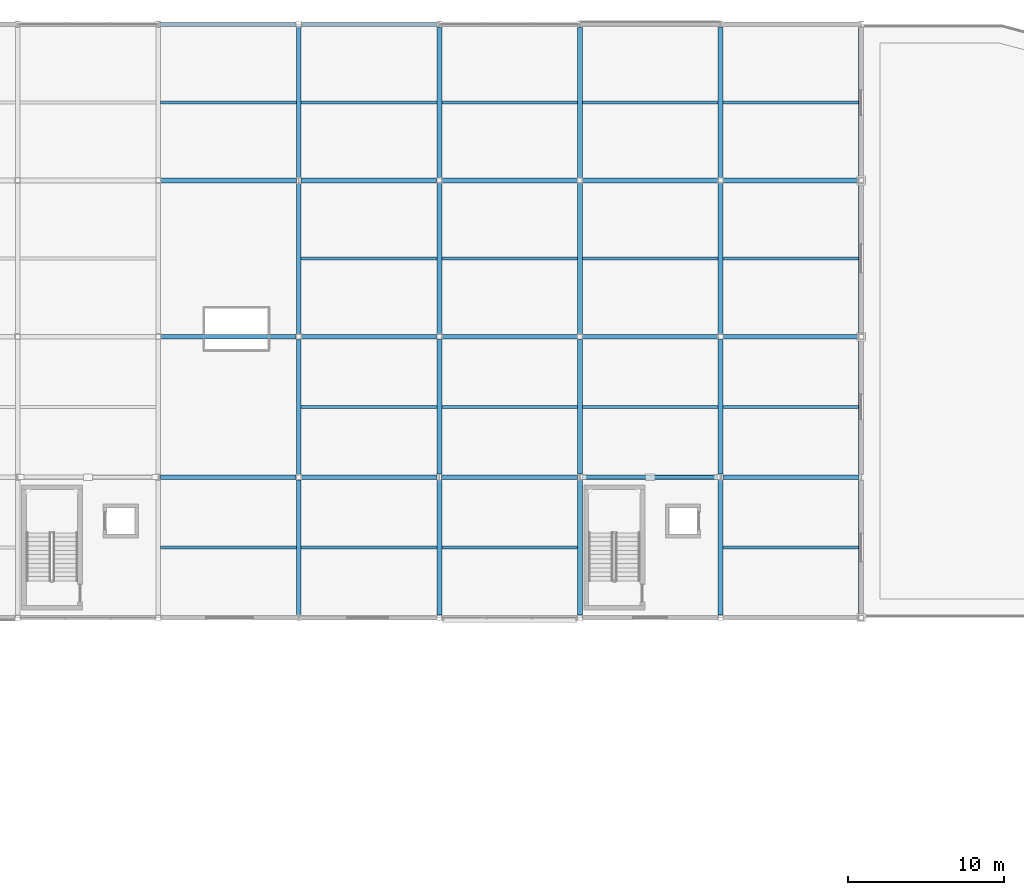
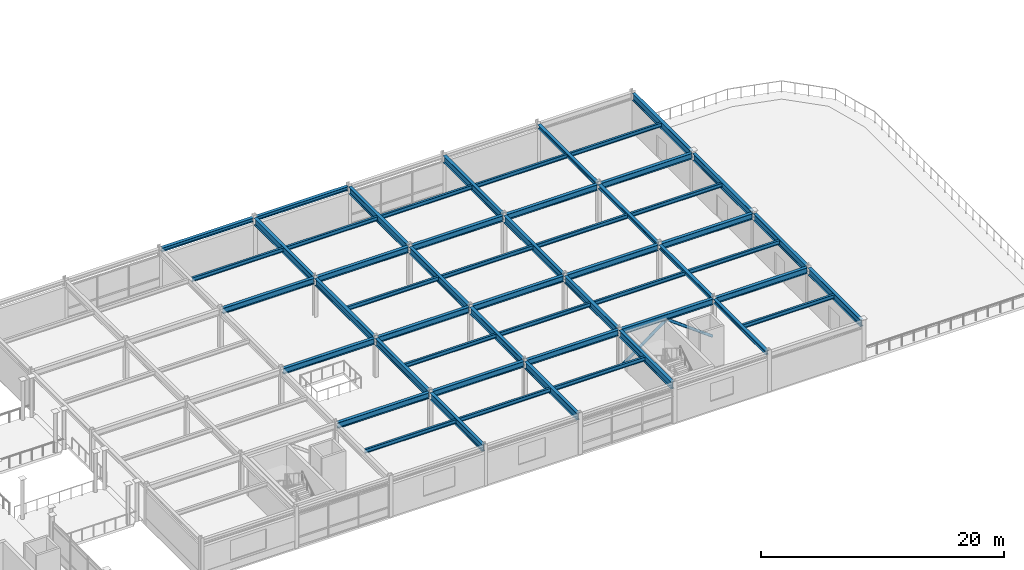
# One storey, part 26 of 53: 54 beams, 2 members.
"""IFC4 building model written with IfcOpenShell, lengths in metres."""

from ifc_helpers import new_model, si_unit, direction, frame, origin, origin_2d, place, context, subcontext, project, spatial, hollow_circle, i_section, extrude, material, material_profile, profile_set, type_object, element, save


model = new_model("IFC4")

# Units and contexts
model_context = context("Model", 3, precision=1e-05, world=origin(), true_north=direction((0.0, 1.0)))
body_context = subcontext(model_context, "Body", "Model", "MODEL_VIEW")
ifc_project = project(units=[si_unit("LENGTHUNIT", "METRE"), si_unit("AREAUNIT", "SQUARE_METRE"), si_unit("VOLUMEUNIT", "CUBIC_METRE"), si_unit("PLANEANGLEUNIT", "RADIAN"), si_unit("MASSUNIT", "GRAM", prefix="KILO")], contexts=[model_context])

# Site, building, storey
site_placement = place(None, origin())
site = spatial("IfcSite", under=ifc_project, at=site_placement, CompositionType="ELEMENT")
building_placement = place(site_placement, origin())
building = spatial("IfcBuilding", under=site, at=building_placement, Name="Suzunagisa Mobility Hub", CompositionType="ELEMENT")
storey_placement = place(building_placement, frame((0.0, 0.0, 17.699951171875)))
storey = spatial("IfcBuildingStorey", under=building, at=storey_placement, Name="L04", CompositionType="ELEMENT", Elevation=17.699951171875)

# Members
ifc_material_1 = material(Name="Steel SN490B", Category="steel")
ifc_material_profile_1 = material_profile(ifc_material_1, hollow_circle(Radius=0.1337890625, WallThickness=0.00927734375, at=origin_2d()), Name="CHS-267.4x9.3")
ifc_profile_set_1 = profile_set([ifc_material_profile_1], Name="Steel SN490B")
member_type = type_object("IfcMemberType", Name="Roof Truss and Brace Member MB-06 CHS-267.4x9.3", PredefinedType="BRACE", material=ifc_profile_set_1)
for number, where, z_axis, x_axis, name in (
    (1, (90.169921875, 89.0, 0.1201171875), (0.804397588091, 0.0, 0.594091340009), (0.0, 1.0, 0.0), "L04 Concentric Lateral Brace BR-47"),
    (2, (98.830078125, 89.0, 0.1201171875), (-0.804397588091, 0.0, 0.594091340009), (0.0, -1.0, 0.0), "L04 Concentric Lateral Brace BR-48"),
):
    element("IfcMember", number, at=place(storey_placement, frame(where, z_axis=z_axis, x_axis=x_axis)), inside=storey, type_object=member_type, Name=name, PredefinedType="BRACE", context=body_context, shape_type="SweptSolid", body=[
        extrude(hollow_circle(Radius=0.1337890625, WallThickness=0.00927734375, at=origin_2d()), origin(), (0.0, 0.0, 1.0), 5.383056640625),
    ])

# Beams
ifc_material_profile_2 = material_profile(ifc_material_1, i_section(OverallWidth=0.300048828125, OverallDepth=0.699951171875, WebThickness=0.012939453125, FlangeThickness=0.02392578125, FilletRadius=0.01806640625, at=origin_2d()), Name="H-700x300x13x24")
ifc_profile_set_2 = profile_set([ifc_material_profile_2], Name="Steel SN490B")
beam_type_1 = type_object("IfcBeamType", Name="Steel Beam BM-11 H-700x300x13x24", PredefinedType="BEAM", material=ifc_profile_set_2)
beam_1_placement = place(storey_placement, frame((72.0, 80.19091796875, 3.60009765625), z_axis=(0.0, 1.0, 0.0), x_axis=(-1.0, 0.0, 0.0)))
element("IfcBeam", 3, at=beam_1_placement, inside=storey, type_object=beam_type_1, Name="L04 Primary Girder GY-1185", PredefinedType="BEAM", context=body_context, shape_type="SweptSolid", body=[
    extrude(i_section(OverallWidth=0.300048828125, OverallDepth=0.699951171875, WebThickness=0.012939453125, FlangeThickness=0.02392578125, FilletRadius=0.01806640625, at=origin_2d()), origin(), (0.0, 0.0, 1.0), 8.63818359375),
])
beam_2_placement = place(storey_placement, frame((72.0, 89.1708984375, 3.60009765625), z_axis=(0.0, 1.0, 0.0), x_axis=(-1.0, 0.0, 0.0)))
element("IfcBeam", 4, at=beam_2_placement, inside=storey, type_object=beam_type_1, Name="L04 Primary Girder GY-1186", PredefinedType="BEAM", context=body_context, shape_type="SweptSolid", body=[
    extrude(i_section(OverallWidth=0.300048828125, OverallDepth=0.699951171875, WebThickness=0.012939453125, FlangeThickness=0.02392578125, FilletRadius=0.01806640625, at=origin_2d()), origin(), (0.0, 0.0, 1.0), 8.658203125),
])
for number, where, z_axis, x_axis, name in (
    (5, (72.0, 98.1708984375, 3.60009765625), (0.0, 1.0, 0.0), (-1.0, 0.0, 0.0), "L04 Primary Girder GY-1187"),
    (6, (72.0, 108.19091796875, 3.60009765625), (0.0, 1.0, 0.0), (-1.0, 0.0, 0.0), "L04 Primary Girder GY-1188"),
):
    element("IfcBeam", number, at=place(storey_placement, frame(where, z_axis=z_axis, x_axis=x_axis)), inside=storey, type_object=beam_type_1, Name=name, PredefinedType="BEAM", context=body_context, shape_type="SweptSolid", body=[
        extrude(i_section(OverallWidth=0.300048828125, OverallDepth=0.699951171875, WebThickness=0.012939453125, FlangeThickness=0.02392578125, FilletRadius=0.01806640625, at=origin_2d()), origin(), (0.0, 0.0, 1.0), 9.63818359375),
    ])
for number, where, z_axis, x_axis, name in (
    (7, (81.0, 80.1708984375, 3.60009765625), (0.0, 1.0, 0.0), (-1.0, 0.0, 0.0), "L04 Primary Girder GY-1189"),
    (8, (81.0, 89.19091796875, 3.60009765625), (0.0, 1.0, 0.0), (-1.0, 0.0, 0.0), "L04 Primary Girder GY-1190"),
):
    element("IfcBeam", number, at=place(storey_placement, frame(where, z_axis=z_axis, x_axis=x_axis)), inside=storey, type_object=beam_type_1, Name=name, PredefinedType="BEAM", context=body_context, shape_type="SweptSolid", body=[
        extrude(i_section(OverallWidth=0.300048828125, OverallDepth=0.699951171875, WebThickness=0.012939453125, FlangeThickness=0.02392578125, FilletRadius=0.01806640625, at=origin_2d()), origin(), (0.0, 0.0, 1.0), 8.63818359375),
    ])
beam_3_placement = place(storey_placement, frame((81.0, 98.1708984375, 3.60009765625), z_axis=(0.0, 1.0, 0.0), x_axis=(-1.0, 0.0, 0.0)))
element("IfcBeam", 9, at=beam_3_placement, inside=storey, type_object=beam_type_1, Name="L04 Primary Girder GY-1191", PredefinedType="BEAM", context=body_context, shape_type="SweptSolid", body=[
    extrude(i_section(OverallWidth=0.300048828125, OverallDepth=0.699951171875, WebThickness=0.012939453125, FlangeThickness=0.02392578125, FilletRadius=0.01806640625, at=origin_2d()), origin(), (0.0, 0.0, 1.0), 9.658203125),
])
beam_4_placement = place(storey_placement, frame((81.0, 108.1708984375, 3.60009765625), z_axis=(0.0, 1.0, 0.0), x_axis=(-1.0, 0.0, 0.0)))
element("IfcBeam", 10, at=beam_4_placement, inside=storey, type_object=beam_type_1, Name="L04 Primary Girder GY-1192", PredefinedType="BEAM", context=body_context, shape_type="SweptSolid", body=[
    extrude(i_section(OverallWidth=0.300048828125, OverallDepth=0.699951171875, WebThickness=0.012939453125, FlangeThickness=0.02392578125, FilletRadius=0.01806640625, at=origin_2d()), origin(), (0.0, 0.0, 1.0), 9.63818359375),
])
for number, where, z_axis, x_axis, name in (
    (11, (90.0, 80.1708984375, 3.60009765625), (0.0, 1.0, 0.0), (-1.0, 0.0, 0.0), "L04 Primary Girder GY-1193"),
    (12, (90.0, 89.19091796875, 3.60009765625), (0.0, 1.0, 0.0), (-1.0, 0.0, 0.0), "L04 Primary Girder GY-1194"),
):
    element("IfcBeam", number, at=place(storey_placement, frame(where, z_axis=z_axis, x_axis=x_axis)), inside=storey, type_object=beam_type_1, Name=name, PredefinedType="BEAM", context=body_context, shape_type="SweptSolid", body=[
        extrude(i_section(OverallWidth=0.300048828125, OverallDepth=0.699951171875, WebThickness=0.012939453125, FlangeThickness=0.02392578125, FilletRadius=0.01806640625, at=origin_2d()), origin(), (0.0, 0.0, 1.0), 8.63818359375),
    ])
beam_5_placement = place(storey_placement, frame((90.0, 98.1708984375, 3.60009765625), z_axis=(0.0, 1.0, 0.0), x_axis=(-1.0, 0.0, 0.0)))
element("IfcBeam", 13, at=beam_5_placement, inside=storey, type_object=beam_type_1, Name="L04 Primary Girder GY-1195", PredefinedType="BEAM", context=body_context, shape_type="SweptSolid", body=[
    extrude(i_section(OverallWidth=0.300048828125, OverallDepth=0.699951171875, WebThickness=0.012939453125, FlangeThickness=0.02392578125, FilletRadius=0.01806640625, at=origin_2d()), origin(), (0.0, 0.0, 1.0), 9.658203125),
])
beam_6_placement = place(storey_placement, frame((90.0, 108.1708984375, 3.60009765625), z_axis=(0.0, 1.0, 0.0), x_axis=(-1.0, 0.0, 0.0)))
element("IfcBeam", 14, at=beam_6_placement, inside=storey, type_object=beam_type_1, Name="L04 Primary Girder GY-1196", PredefinedType="BEAM", context=body_context, shape_type="SweptSolid", body=[
    extrude(i_section(OverallWidth=0.300048828125, OverallDepth=0.699951171875, WebThickness=0.012939453125, FlangeThickness=0.02392578125, FilletRadius=0.01806640625, at=origin_2d()), origin(), (0.0, 0.0, 1.0), 9.63818359375),
])
for number, where, z_axis, x_axis, name in (
    (15, (108.0, 80.1708984375, 3.570068359375), (0.0, 1.0, 0.0), (-1.0, 0.0, 0.0), "L04 Primary Girder GY-1226"),
    (16, (108.0, 89.19091796875, 3.570068359375), (0.0, 1.0, 0.0), (-1.0, 0.0, 0.0), "L04 Primary Girder GY-1227"),
):
    element("IfcBeam", number, at=place(storey_placement, frame(where, z_axis=z_axis, x_axis=x_axis)), inside=storey, type_object=beam_type_1, Name=name, PredefinedType="BEAM", context=body_context, shape_type="SweptSolid", body=[
        extrude(i_section(OverallWidth=0.300048828125, OverallDepth=0.699951171875, WebThickness=0.012939453125, FlangeThickness=0.02392578125, FilletRadius=0.01806640625, at=origin_2d()), origin(), (0.0, 0.0, 1.0), 8.63818359375),
    ])
beam_7_placement = place(storey_placement, frame((108.0, 98.1708984375, 3.570068359375), z_axis=(0.0, 1.0, 0.0), x_axis=(-1.0, 0.0, 0.0)))
element("IfcBeam", 17, at=beam_7_placement, inside=storey, type_object=beam_type_1, Name="L04 Primary Girder GY-1228", PredefinedType="BEAM", context=body_context, shape_type="SweptSolid", body=[
    extrude(i_section(OverallWidth=0.300048828125, OverallDepth=0.699951171875, WebThickness=0.012939453125, FlangeThickness=0.02392578125, FilletRadius=0.01806640625, at=origin_2d()), origin(), (0.0, 0.0, 1.0), 9.658203125),
])
beam_8_placement = place(storey_placement, frame((108.0, 108.1708984375, 3.570068359375), z_axis=(0.0, 1.0, 0.0), x_axis=(-1.0, 0.0, 0.0)))
element("IfcBeam", 18, at=beam_8_placement, inside=storey, type_object=beam_type_1, Name="L04 Primary Girder GY-1229", PredefinedType="BEAM", context=body_context, shape_type="SweptSolid", body=[
    extrude(i_section(OverallWidth=0.300048828125, OverallDepth=0.699951171875, WebThickness=0.012939453125, FlangeThickness=0.02392578125, FilletRadius=0.01806640625, at=origin_2d()), origin(), (0.0, 0.0, 1.0), 9.63818359375),
])
ifc_material_profile_3 = material_profile(ifc_material_1, i_section(OverallWidth=0.300048828125, OverallDepth=0.389892578125, WebThickness=0.010009765625, FlangeThickness=0.01611328125, FilletRadius=0.012939453125, at=origin_2d()), Name="H-390x300x10x16")
ifc_profile_set_3 = profile_set([ifc_material_profile_3], Name="Steel SN490B")
beam_type_2 = type_object("IfcBeamType", Name="Steel Beam BM-13 H-390x300x10x16", PredefinedType="SPANDREL", material=ifc_profile_set_3)
for number, where, z_axis, x_axis, name in (
    (19, (63.14599609375, 118.0, 3.755126953125), (1.0, 0.0, 0.0), (0.0, 1.0, 0.0), "L04 Primary Girder GX-1169"),
    (20, (72.1708984375, 118.0, 3.755126953125), (1.0, 0.0, 0.0), (0.0, 1.0, 0.0), "L04 Primary Girder GX-1170"),
):
    element("IfcBeam", number, at=place(storey_placement, frame(where, z_axis=z_axis, x_axis=x_axis)), inside=storey, type_object=beam_type_2, Name=name, PredefinedType="SPANDREL", context=body_context, shape_type="SweptSolid", body=[
        extrude(i_section(OverallWidth=0.300048828125, OverallDepth=0.389892578125, WebThickness=0.010009765625, FlangeThickness=0.01611328125, FilletRadius=0.012939453125, at=origin_2d()), origin(), (0.0, 0.0, 1.0), 8.68310546875),
    ])
for number, where, z_axis, x_axis, name in (
    (21, (99.0, 80.1708984375, 3.72509765625), (0.0, 1.0, 0.0), (-1.0, 0.0, 0.0), "L04 Primary Girder GY-1197"),
    (22, (99.0, 89.19091796875, 3.72509765625), (0.0, 1.0, 0.0), (-1.0, 0.0, 0.0), "L04 Primary Girder GY-1198"),
):
    element("IfcBeam", number, at=place(storey_placement, frame(where, z_axis=z_axis, x_axis=x_axis)), inside=storey, type_object=beam_type_2, Name=name, PredefinedType="SPANDREL", context=body_context, shape_type="SweptSolid", body=[
        extrude(i_section(OverallWidth=0.300048828125, OverallDepth=0.389892578125, WebThickness=0.010009765625, FlangeThickness=0.01611328125, FilletRadius=0.012939453125, at=origin_2d()), origin(), (0.0, 0.0, 1.0), 8.63818359375),
    ])
beam_9_placement = place(storey_placement, frame((99.0, 98.1708984375, 3.72509765625), z_axis=(0.0, 1.0, 0.0), x_axis=(-1.0, 0.0, 0.0)))
element("IfcBeam", 23, at=beam_9_placement, inside=storey, type_object=beam_type_2, Name="L04 Primary Girder GY-1199", PredefinedType="SPANDREL", context=body_context, shape_type="SweptSolid", body=[
    extrude(i_section(OverallWidth=0.300048828125, OverallDepth=0.389892578125, WebThickness=0.010009765625, FlangeThickness=0.01611328125, FilletRadius=0.012939453125, at=origin_2d()), origin(), (0.0, 0.0, 1.0), 9.658203125),
])
beam_10_placement = place(storey_placement, frame((99.0, 108.1708984375, 3.72509765625), z_axis=(0.0, 1.0, 0.0), x_axis=(-1.0, 0.0, 0.0)))
element("IfcBeam", 24, at=beam_10_placement, inside=storey, type_object=beam_type_2, Name="L04 Primary Girder GY-1200", PredefinedType="SPANDREL", context=body_context, shape_type="SweptSolid", body=[
    extrude(i_section(OverallWidth=0.300048828125, OverallDepth=0.389892578125, WebThickness=0.010009765625, FlangeThickness=0.01611328125, FilletRadius=0.012939453125, at=origin_2d()), origin(), (0.0, 0.0, 1.0), 9.63818359375),
])
ifc_material_2 = material(Name="Steel SN400B", Category="steel")
ifc_material_profile_4 = material_profile(ifc_material_2, i_section(OverallWidth=0.199951171875, OverallDepth=0.39990234375, WebThickness=0.008056640625, FlangeThickness=0.012939453125, FilletRadius=0.012939453125, at=origin_2d()), Name="H-400x200x8x13")
ifc_profile_set_4 = profile_set([ifc_material_profile_4], Name="Steel SN400B")
beam_type_3 = type_object("IfcBeamType", Name="Steel Beam BM-14 H-400x200x8x13", PredefinedType="JOIST", material=ifc_profile_set_4)
for number, where, z_axis, x_axis, name in (
    (25, (63.14990234375, 84.5, 3.75), (1.0, 0.0, 0.0), (0.0, 1.0, 0.0), "L04 Composite Floor Joist J-1208"),
    (26, (63.14990234375, 113.0, 3.75), (1.0, 0.0, 0.0), (0.0, 1.0, 0.0), "L04 Composite Floor Joist J-1209"),
    (27, (72.14990234375, 84.5, 3.75), (1.0, 0.0, 0.0), (0.0, 1.0, 0.0), "L04 Composite Floor Joist J-1210"),
    (28, (72.14990234375, 93.5, 3.75), (1.0, 0.0, 0.0), (0.0, 1.0, 0.0), "L04 Composite Floor Joist J-1211"),
    (29, (72.14990234375, 103.0, 3.75), (1.0, 0.0, 0.0), (0.0, 1.0, 0.0), "L04 Composite Floor Joist J-1212"),
    (30, (72.14990234375, 113.0, 3.75), (1.0, 0.0, 0.0), (0.0, 1.0, 0.0), "L04 Composite Floor Joist J-1213"),
    (31, (81.14990234375, 84.5, 3.75), (1.0, 0.0, 0.0), (0.0, 1.0, 0.0), "L04 Composite Floor Joist J-1214"),
    (32, (81.14990234375, 93.5, 3.75), (1.0, 0.0, 0.0), (0.0, 1.0, 0.0), "L04 Composite Floor Joist J-1215"),
    (33, (81.14990234375, 103.0, 3.75), (1.0, 0.0, 0.0), (0.0, 1.0, 0.0), "L04 Composite Floor Joist J-1216"),
    (34, (81.14990234375, 113.0, 3.75), (1.0, 0.0, 0.0), (0.0, 1.0, 0.0), "L04 Composite Floor Joist J-1217"),
    (35, (90.14990234375, 93.5, 3.719970703125), (1.0, 0.0, 0.0), (0.0, 1.0, 0.0), "L04 Composite Floor Joist J-1218"),
    (36, (90.14990234375, 103.0, 3.719970703125), (1.0, 0.0, 0.0), (0.0, 1.0, 0.0), "L04 Composite Floor Joist J-1219"),
    (37, (90.14990234375, 113.0, 3.719970703125), (1.0, 0.0, 0.0), (0.0, 1.0, 0.0), "L04 Composite Floor Joist J-1220"),
    (38, (99.14990234375, 84.5, 3.719970703125), (1.0, 0.0, 0.0), (0.0, 1.0, 0.0), "L04 Composite Floor Joist J-1230"),
    (39, (99.14990234375, 93.5, 3.719970703125), (1.0, 0.0, 0.0), (0.0, 1.0, 0.0), "L04 Composite Floor Joist J-1231"),
    (40, (99.14990234375, 103.0, 3.719970703125), (1.0, 0.0, 0.0), (0.0, 1.0, 0.0), "L04 Composite Floor Joist J-1232"),
    (41, (99.14990234375, 113.0, 3.719970703125), (1.0, 0.0, 0.0), (0.0, 1.0, 0.0), "L04 Composite Floor Joist J-1233"),
):
    element("IfcBeam", number, at=place(storey_placement, frame(where, z_axis=z_axis, x_axis=x_axis)), inside=storey, type_object=beam_type_3, Name=name, PredefinedType="JOIST", context=body_context, shape_type="SweptSolid", body=[
        extrude(i_section(OverallWidth=0.199951171875, OverallDepth=0.39990234375, WebThickness=0.008056640625, FlangeThickness=0.012939453125, FilletRadius=0.012939453125, at=origin_2d()), origin(), (0.0, 0.0, 1.0), 8.7001953125),
    ])
ifc_material_profile_5 = material_profile(ifc_material_1, i_section(OverallWidth=0.300048828125, OverallDepth=0.587890625, WebThickness=0.011962890625, FlangeThickness=0.02001953125, FilletRadius=0.012939453125, at=origin_2d()), Name="H-588x300x12x20")
ifc_profile_set_5 = profile_set([ifc_material_profile_5], Name="Steel SN490B")
beam_type_4 = type_object("IfcBeamType", Name="Steel Beam BM-16 H-588x300x12x20", PredefinedType="BEAM", material=ifc_profile_set_5)
for number, where, z_axis, x_axis, name in (
    (42, (63.14599609375, 89.0, 3.656005859375), (1.0, 0.0, 0.0), (0.0, 1.0, 0.0), "L04 Primary Girder GX-1151"),
    (43, (72.1708984375, 89.0, 3.656005859375), (1.0, 0.0, 0.0), (0.0, 1.0, 0.0), "L04 Primary Girder GX-1152"),
):
    element("IfcBeam", number, at=place(storey_placement, frame(where, z_axis=z_axis, x_axis=x_axis)), inside=storey, type_object=beam_type_4, Name=name, PredefinedType="BEAM", context=body_context, shape_type="SweptSolid", body=[
        extrude(i_section(OverallWidth=0.300048828125, OverallDepth=0.587890625, WebThickness=0.011962890625, FlangeThickness=0.02001953125, FilletRadius=0.012939453125, at=origin_2d()), origin(), (0.0, 0.0, 1.0), 8.68310546875),
    ])
for number, where, z_axis, x_axis, name in (
    (44, (81.14599609375, 89.0, 3.656005859375), (1.0, 0.0, 0.0), (0.0, 1.0, 0.0), "L04 Primary Girder GX-1153"),
    (45, (90.14599609375, 89.0, 3.6259765625), (1.0, 0.0, 0.0), (0.0, 1.0, 0.0), "L04 Primary Girder GX-1154"),
):
    element("IfcBeam", number, at=place(storey_placement, frame(where, z_axis=z_axis, x_axis=x_axis)), inside=storey, type_object=beam_type_4, Name=name, PredefinedType="BEAM", context=body_context, shape_type="SweptSolid", body=[
        extrude(i_section(OverallWidth=0.300048828125, OverallDepth=0.587890625, WebThickness=0.011962890625, FlangeThickness=0.02001953125, FilletRadius=0.012939453125, at=origin_2d()), origin(), (0.0, 0.0, 1.0), 8.7080078125),
    ])
for number, where, z_axis, x_axis, name in (
    (46, (63.1708984375, 98.0, 3.656005859375), (1.0, 0.0, 0.0), (0.0, 1.0, 0.0), "L04 Primary Girder GX-1157"),
    (47, (72.1708984375, 98.0, 3.656005859375), (1.0, 0.0, 0.0), (0.0, 1.0, 0.0), "L04 Primary Girder GX-1158"),
    (48, (81.1708984375, 98.0, 3.656005859375), (1.0, 0.0, 0.0), (0.0, 1.0, 0.0), "L04 Primary Girder GX-1159"),
    (49, (90.1708984375, 98.0, 3.6259765625), (1.0, 0.0, 0.0), (0.0, 1.0, 0.0), "L04 Primary Girder GX-1160"),
):
    element("IfcBeam", number, at=place(storey_placement, frame(where, z_axis=z_axis, x_axis=x_axis)), inside=storey, type_object=beam_type_4, Name=name, PredefinedType="BEAM", context=body_context, shape_type="SweptSolid", body=[
        extrude(i_section(OverallWidth=0.300048828125, OverallDepth=0.587890625, WebThickness=0.011962890625, FlangeThickness=0.02001953125, FilletRadius=0.012939453125, at=origin_2d()), origin(), (0.0, 0.0, 1.0), 8.658203125),
    ])
for number, where, z_axis, x_axis, name in (
    (50, (63.1708984375, 108.0, 3.656005859375), (1.0, 0.0, 0.0), (0.0, 1.0, 0.0), "L04 Primary Girder GX-1163"),
    (51, (72.14599609375, 108.0, 3.656005859375), (1.0, 0.0, 0.0), (0.0, 1.0, 0.0), "L04 Primary Girder GX-1164"),
):
    element("IfcBeam", number, at=place(storey_placement, frame(where, z_axis=z_axis, x_axis=x_axis)), inside=storey, type_object=beam_type_4, Name=name, PredefinedType="BEAM", context=body_context, shape_type="SweptSolid", body=[
        extrude(i_section(OverallWidth=0.300048828125, OverallDepth=0.587890625, WebThickness=0.011962890625, FlangeThickness=0.02001953125, FilletRadius=0.012939453125, at=origin_2d()), origin(), (0.0, 0.0, 1.0), 8.68310546875),
    ])
for number, where, z_axis, x_axis, name in (
    (52, (81.1708984375, 108.0, 3.656005859375), (1.0, 0.0, 0.0), (0.0, 1.0, 0.0), "L04 Primary Girder GX-1165"),
    (53, (90.1708984375, 108.0, 3.6259765625), (1.0, 0.0, 0.0), (0.0, 1.0, 0.0), "L04 Primary Girder GX-1166"),
):
    element("IfcBeam", number, at=place(storey_placement, frame(where, z_axis=z_axis, x_axis=x_axis)), inside=storey, type_object=beam_type_4, Name=name, PredefinedType="BEAM", context=body_context, shape_type="SweptSolid", body=[
        extrude(i_section(OverallWidth=0.300048828125, OverallDepth=0.587890625, WebThickness=0.011962890625, FlangeThickness=0.02001953125, FilletRadius=0.012939453125, at=origin_2d()), origin(), (0.0, 0.0, 1.0), 8.658203125),
    ])
beam_11_placement = place(storey_placement, frame((99.14599609375, 89.0, 3.6259765625), z_axis=(1.0, 0.0, 0.0), x_axis=(0.0, 1.0, 0.0)))
element("IfcBeam", 54, at=beam_11_placement, inside=storey, type_object=beam_type_4, Name="L04 Primary Girder GX-1222", PredefinedType="BEAM", context=body_context, shape_type="SweptSolid", body=[
    extrude(i_section(OverallWidth=0.300048828125, OverallDepth=0.587890625, WebThickness=0.011962890625, FlangeThickness=0.02001953125, FilletRadius=0.012939453125, at=origin_2d()), origin(), (0.0, 0.0, 1.0), 8.7080078125),
])
for number, where, z_axis, x_axis, name in (
    (55, (99.1708984375, 98.0, 3.6259765625), (1.0, 0.0, 0.0), (0.0, 1.0, 0.0), "L04 Primary Girder GX-1223"),
    (56, (99.1708984375, 108.0, 3.6259765625), (1.0, 0.0, 0.0), (0.0, 1.0, 0.0), "L04 Primary Girder GX-1224"),
):
    element("IfcBeam", number, at=place(storey_placement, frame(where, z_axis=z_axis, x_axis=x_axis)), inside=storey, type_object=beam_type_4, Name=name, PredefinedType="BEAM", context=body_context, shape_type="SweptSolid", body=[
        extrude(i_section(OverallWidth=0.300048828125, OverallDepth=0.587890625, WebThickness=0.011962890625, FlangeThickness=0.02001953125, FilletRadius=0.012939453125, at=origin_2d()), origin(), (0.0, 0.0, 1.0), 8.658203125),
    ])

save(model, "model.ifc")
